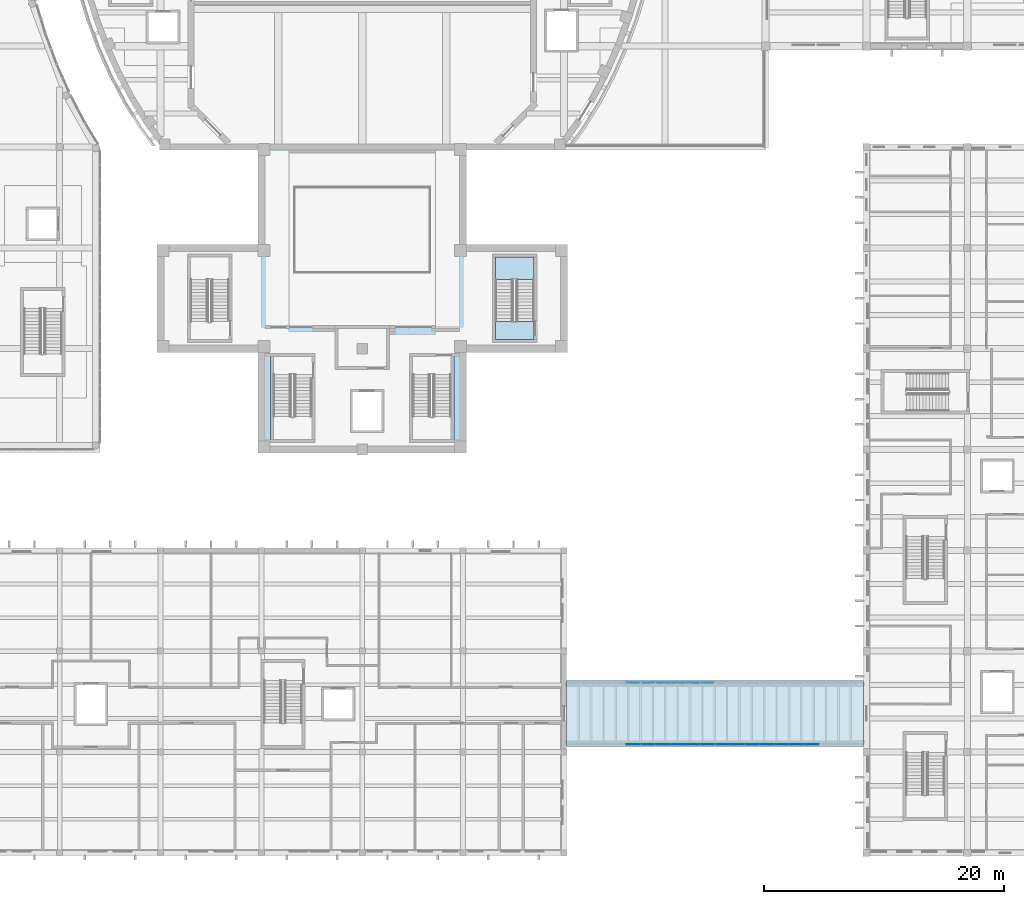
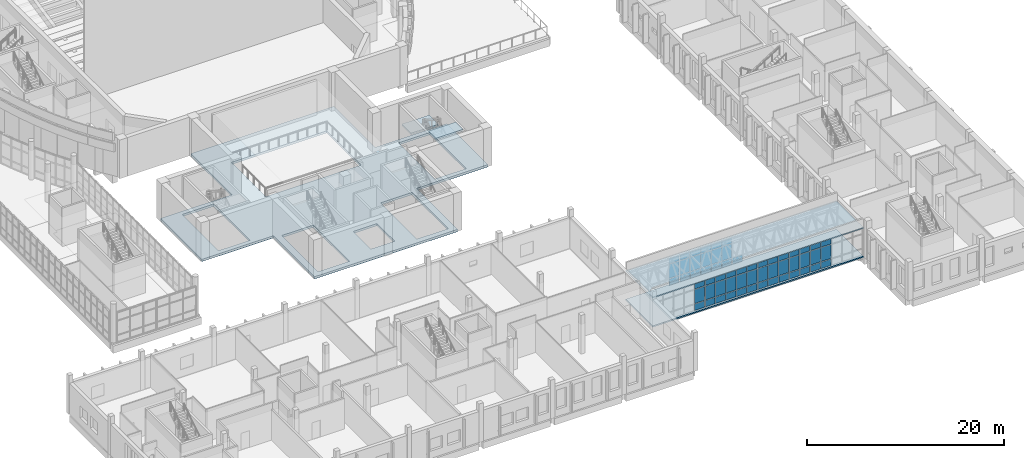
# One storey, part 44 of 119: 58 plates, 5 slabs, 8 elements without a shape of their own.
"""IFC4 building model written with IfcOpenShell, lengths in metres."""

from ifc_helpers import new_model, si_unit, direction, frame, origin, origin_2d, place, context, subcontext, project, spatial, polyline, rectangle, outline, extrude, material, layer, layer_set, type_object, element, aggregate, save


model = new_model("IFC4")

# Units and contexts
model_context = context("Model", 3, precision=1e-05, world=origin(), true_north=direction((0.0, 1.0)))
body_context = subcontext(model_context, "Body", "Model", "MODEL_VIEW")
ifc_project = project(units=[si_unit("LENGTHUNIT", "METRE"), si_unit("AREAUNIT", "SQUARE_METRE"), si_unit("VOLUMEUNIT", "CUBIC_METRE"), si_unit("PLANEANGLEUNIT", "RADIAN"), si_unit("MASSUNIT", "GRAM", prefix="KILO")], contexts=[model_context])

# Site, building, storey
site_placement = place(None, origin())
site = spatial("IfcSite", under=ifc_project, at=site_placement, CompositionType="ELEMENT")
building_placement = place(site_placement, origin())
building = spatial("IfcBuilding", under=site, at=building_placement, Name="Larchfold Concert Hall", CompositionType="ELEMENT")
storey_placement = place(building_placement, frame((0.0, 0.0, 4.800048828125)))
storey = spatial("IfcBuildingStorey", under=building, at=storey_placement, Name="L01", CompositionType="ELEMENT", Elevation=4.800048828125)

# Slabs
ifc_material_1 = material(Name="Concrete C35/45", Category="concrete")
ifc_layer_1 = layer(ifc_material_1, 0.159912109375)
ifc_layer_set_1 = layer_set([ifc_layer_1], Name="Concrete C35/45")
slab_type_1 = type_object("IfcSlabType", Name="Composite floor slab 130", PredefinedType="FLOOR", material=ifc_layer_set_1)
slab_1_placement = place(storey_placement, frame((0.0, 0.0, -0.16015625)))
element("IfcSlab", 1, at=slab_1_placement, inside=storey, type_object=slab_type_1, Name="Slab LBS1", PredefinedType="FLOOR", context=body_context, shape_type="SweptSolid", body=[
    extrude(outline(polyline([(84.344970703125, 9.449951171875), (84.344970703125, 14.949951171875), (59.599853515625, 14.949951171875), (59.599853515625, 9.449951171875), (84.344970703125, 9.449951171875)])), origin(), (0.0, 0.0, 1.0), 0.16015625),
])
ifc_material_2 = material(Name="Concrete C35/45", Category="concrete")
ifc_layer_2 = layer(ifc_material_2, 0.139892578125)
ifc_layer_set_2 = layer_set([ifc_layer_2], Name="Concrete C35/45")
slab_type_2 = type_object("IfcSlabType", Name="Flat roof slab 140", PredefinedType="ROOF", material=ifc_layer_set_2)
slab_2_placement = place(storey_placement, frame((0.0, 0.0, 3.43994140625)))
element("IfcSlab", 2, at=slab_2_placement, inside=storey, type_object=slab_type_2, Name="Slab LBS2", PredefinedType="ROOF", context=body_context, shape_type="SweptSolid", body=[
    extrude(outline(polyline([(84.344970703125, 9.449951171875), (84.344970703125, 14.949951171875), (59.599853515625, 14.949951171875), (59.599853515625, 9.449951171875), (84.344970703125, 9.449951171875)])), origin(), (0.0, 0.0, 1.0), 0.139892578125),
])

# Curtain wall, plates
ifc_material_3 = material(Name="Anodised graphite aluminium curtain wall", Category="aluminium")
ifc_layer_3 = layer(ifc_material_3, 0.14990234375)
ifc_layer_set_3 = layer_set([ifc_layer_3], Name="Anodised graphite aluminium curtain wall")
curtain_wall_type = type_object("IfcCurtainWallType", Name="Curtain wall WG", PredefinedType="NOTDEFINED", material=ifc_layer_set_3)
curtain_wall_1_placement = place(storey_placement, origin())
curtain_wall_1 = element("IfcCurtainWall", 3, at=curtain_wall_1_placement, inside=storey, type_object=curtain_wall_type, Name="Curtain wall CW0303", PredefinedType="NOTDEFINED")
ifc_material_4 = material(Name="Insulated glazing unit, glass", Category="glass")
ifc_layer_4 = layer(ifc_material_4, 0.028076171875)
ifc_layer_set_4 = layer_set([ifc_layer_4], Name="Insulated glazing unit, glass")
plate_type_1 = type_object("IfcPlateType", Name="Glass panel 28", PredefinedType="CURTAIN_PANEL", material=ifc_layer_set_4)
plate_1_placement = place(storey_placement, frame((65.17578125, 9.626708984375, 0.93994140625), z_axis=(0.0, 0.0, 1.0), x_axis=(1.0, 0.0, 0.0)))
plate_1 = element("IfcPlate", 4, at=plate_1_placement, type_object=plate_type_1, Name="CW0303 panel 5.2", PredefinedType="CURTAIN_PANEL", context=body_context, shape_type="SweptSolid", body=[
    extrude(rectangle(XDim=1.145751953125, YDim=0.028076171875, at=origin_2d()), origin(), (0.0, 0.0, 1.0), 1.719970703125),
])
plate_2_placement = place(storey_placement, frame((65.17578125, 9.626708984375, 2.740234375), z_axis=(0.0, 0.0, 1.0), x_axis=(1.0, 0.0, 0.0)))
plate_2 = element("IfcPlate", 5, at=plate_2_placement, type_object=plate_type_1, Name="CW0303 panel 5.3", PredefinedType="CURTAIN_PANEL", context=body_context, shape_type="SweptSolid", body=[
    extrude(rectangle(XDim=1.145751953125, YDim=0.028076171875, at=origin_2d()), origin(), (0.0, 0.0, 1.0), 0.619873046875),
])

curtain_wall_2_placement = place(storey_placement, origin())
curtain_wall_2 = element("IfcCurtainWall", 6, at=curtain_wall_2_placement, inside=storey, type_object=curtain_wall_type, Name="Curtain wall CW0304", PredefinedType="NOTDEFINED")
plate_3_placement = place(storey_placement, frame((66.44140625, 9.626708984375, 0.93994140625), z_axis=(0.0, 0.0, 1.0), x_axis=(1.0, 0.0, 0.0)))
plate_3 = element("IfcPlate", 7, at=plate_3_placement, type_object=plate_type_1, Name="CW0304 panel 1.2", PredefinedType="CURTAIN_PANEL", context=body_context, shape_type="SweptSolid", body=[
    extrude(rectangle(XDim=1.145751953125, YDim=0.028076171875, at=origin_2d()), origin(), (0.0, 0.0, 1.0), 1.719970703125),
])
plate_4_placement = place(storey_placement, frame((66.44140625, 9.626708984375, 2.740234375), z_axis=(0.0, 0.0, 1.0), x_axis=(1.0, 0.0, 0.0)))
plate_4 = element("IfcPlate", 8, at=plate_4_placement, type_object=plate_type_1, Name="CW0304 panel 1.3", PredefinedType="CURTAIN_PANEL", context=body_context, shape_type="SweptSolid", body=[
    extrude(rectangle(XDim=1.145751953125, YDim=0.028076171875, at=origin_2d()), origin(), (0.0, 0.0, 1.0), 0.619873046875),
])
plate_5_placement = place(storey_placement, frame((67.662109375, 9.626708984375, 0.93994140625), z_axis=(0.0, 0.0, 1.0), x_axis=(1.0, 0.0, 0.0)))
plate_5 = element("IfcPlate", 9, at=plate_5_placement, type_object=plate_type_1, Name="CW0304 panel 2.2", PredefinedType="CURTAIN_PANEL", context=body_context, shape_type="SweptSolid", body=[
    extrude(rectangle(XDim=1.17578125, YDim=0.028076171875, at=origin_2d()), origin(), (0.0, 0.0, 1.0), 1.719970703125),
])
plate_6_placement = place(storey_placement, frame((67.662109375, 9.626708984375, 2.740234375), z_axis=(0.0, 0.0, 1.0), x_axis=(1.0, 0.0, 0.0)))
plate_6 = element("IfcPlate", 10, at=plate_6_placement, type_object=plate_type_1, Name="CW0304 panel 2.3", PredefinedType="CURTAIN_PANEL", context=body_context, shape_type="SweptSolid", body=[
    extrude(rectangle(XDim=1.17578125, YDim=0.028076171875, at=origin_2d()), origin(), (0.0, 0.0, 1.0), 0.619873046875),
])
plate_7_placement = place(storey_placement, frame((68.89794921875, 9.626708984375, 0.93994140625), z_axis=(0.0, 0.0, 1.0), x_axis=(1.0, 0.0, 0.0)))
plate_7 = element("IfcPlate", 11, at=plate_7_placement, type_object=plate_type_1, Name="CW0304 panel 3.2", PredefinedType="CURTAIN_PANEL", context=body_context, shape_type="SweptSolid", body=[
    extrude(rectangle(XDim=1.17578125, YDim=0.028076171875, at=origin_2d()), origin(), (0.0, 0.0, 1.0), 1.719970703125),
])
plate_8_placement = place(storey_placement, frame((68.89794921875, 9.626708984375, 2.740234375), z_axis=(0.0, 0.0, 1.0), x_axis=(1.0, 0.0, 0.0)))
plate_8 = element("IfcPlate", 12, at=plate_8_placement, type_object=plate_type_1, Name="CW0304 panel 3.3", PredefinedType="CURTAIN_PANEL", context=body_context, shape_type="SweptSolid", body=[
    extrude(rectangle(XDim=1.17578125, YDim=0.028076171875, at=origin_2d()), origin(), (0.0, 0.0, 1.0), 0.619873046875),
])
plate_9_placement = place(storey_placement, frame((70.1337890625, 9.626708984375, 0.93994140625), z_axis=(0.0, 0.0, 1.0), x_axis=(1.0, 0.0, 0.0)))
plate_9 = element("IfcPlate", 13, at=plate_9_placement, type_object=plate_type_1, Name="CW0304 panel 4.2", PredefinedType="CURTAIN_PANEL", context=body_context, shape_type="SweptSolid", body=[
    extrude(rectangle(XDim=1.17578125, YDim=0.028076171875, at=origin_2d()), origin(), (0.0, 0.0, 1.0), 1.719970703125),
])
plate_10_placement = place(storey_placement, frame((70.1337890625, 9.626708984375, 2.740234375), z_axis=(0.0, 0.0, 1.0), x_axis=(1.0, 0.0, 0.0)))
plate_10 = element("IfcPlate", 14, at=plate_10_placement, type_object=plate_type_1, Name="CW0304 panel 4.3", PredefinedType="CURTAIN_PANEL", context=body_context, shape_type="SweptSolid", body=[
    extrude(rectangle(XDim=1.17578125, YDim=0.028076171875, at=origin_2d()), origin(), (0.0, 0.0, 1.0), 0.619873046875),
])
plate_11_placement = place(storey_placement, frame((71.3544921875, 9.626708984375, 0.93994140625), z_axis=(0.0, 0.0, 1.0), x_axis=(1.0, 0.0, 0.0)))
plate_11 = element("IfcPlate", 15, at=plate_11_placement, type_object=plate_type_1, Name="CW0304 panel 5.2", PredefinedType="CURTAIN_PANEL", context=body_context, shape_type="SweptSolid", body=[
    extrude(rectangle(XDim=1.145751953125, YDim=0.028076171875, at=origin_2d()), origin(), (0.0, 0.0, 1.0), 1.719970703125),
])
plate_12_placement = place(storey_placement, frame((71.3544921875, 9.626708984375, 2.740234375), z_axis=(0.0, 0.0, 1.0), x_axis=(1.0, 0.0, 0.0)))
plate_12 = element("IfcPlate", 16, at=plate_12_placement, type_object=plate_type_1, Name="CW0304 panel 5.3", PredefinedType="CURTAIN_PANEL", context=body_context, shape_type="SweptSolid", body=[
    extrude(rectangle(XDim=1.145751953125, YDim=0.028076171875, at=origin_2d()), origin(), (0.0, 0.0, 1.0), 0.619873046875),
])

curtain_wall_3_placement = place(storey_placement, origin())
curtain_wall_3 = element("IfcCurtainWall", 17, at=curtain_wall_3_placement, inside=storey, type_object=curtain_wall_type, Name="Curtain wall CW0305", PredefinedType="NOTDEFINED")
plate_13_placement = place(storey_placement, frame((72.6201171875, 9.626708984375, 0.93994140625), z_axis=(0.0, 0.0, 1.0), x_axis=(1.0, 0.0, 0.0)))
plate_13 = element("IfcPlate", 18, at=plate_13_placement, type_object=plate_type_1, Name="CW0305 panel 1.2", PredefinedType="CURTAIN_PANEL", context=body_context, shape_type="SweptSolid", body=[
    extrude(rectangle(XDim=1.145751953125, YDim=0.028076171875, at=origin_2d()), origin(), (0.0, 0.0, 1.0), 1.719970703125),
])
plate_14_placement = place(storey_placement, frame((72.6201171875, 9.626708984375, 2.740234375), z_axis=(0.0, 0.0, 1.0), x_axis=(1.0, 0.0, 0.0)))
plate_14 = element("IfcPlate", 19, at=plate_14_placement, type_object=plate_type_1, Name="CW0305 panel 1.3", PredefinedType="CURTAIN_PANEL", context=body_context, shape_type="SweptSolid", body=[
    extrude(rectangle(XDim=1.145751953125, YDim=0.028076171875, at=origin_2d()), origin(), (0.0, 0.0, 1.0), 0.619873046875),
])
plate_15_placement = place(storey_placement, frame((73.841064453125, 9.626708984375, 0.93994140625), z_axis=(0.0, 0.0, 1.0), x_axis=(1.0, 0.0, 0.0)))
plate_15 = element("IfcPlate", 20, at=plate_15_placement, type_object=plate_type_1, Name="CW0305 panel 2.2", PredefinedType="CURTAIN_PANEL", context=body_context, shape_type="SweptSolid", body=[
    extrude(rectangle(XDim=1.17578125, YDim=0.028076171875, at=origin_2d()), origin(), (0.0, 0.0, 1.0), 1.719970703125),
])
plate_16_placement = place(storey_placement, frame((73.841064453125, 9.626708984375, 2.740234375), z_axis=(0.0, 0.0, 1.0), x_axis=(1.0, 0.0, 0.0)))
plate_16 = element("IfcPlate", 21, at=plate_16_placement, type_object=plate_type_1, Name="CW0305 panel 2.3", PredefinedType="CURTAIN_PANEL", context=body_context, shape_type="SweptSolid", body=[
    extrude(rectangle(XDim=1.17578125, YDim=0.028076171875, at=origin_2d()), origin(), (0.0, 0.0, 1.0), 0.619873046875),
])
plate_17_placement = place(storey_placement, frame((75.076904296875, 9.626708984375, 0.93994140625), z_axis=(0.0, 0.0, 1.0), x_axis=(1.0, 0.0, 0.0)))
plate_17 = element("IfcPlate", 22, at=plate_17_placement, type_object=plate_type_1, Name="CW0305 panel 3.2", PredefinedType="CURTAIN_PANEL", context=body_context, shape_type="SweptSolid", body=[
    extrude(rectangle(XDim=1.17578125, YDim=0.028076171875, at=origin_2d()), origin(), (0.0, 0.0, 1.0), 1.719970703125),
])
plate_18_placement = place(storey_placement, frame((75.076904296875, 9.626708984375, 2.740234375), z_axis=(0.0, 0.0, 1.0), x_axis=(1.0, 0.0, 0.0)))
plate_18 = element("IfcPlate", 23, at=plate_18_placement, type_object=plate_type_1, Name="CW0305 panel 3.3", PredefinedType="CURTAIN_PANEL", context=body_context, shape_type="SweptSolid", body=[
    extrude(rectangle(XDim=1.17578125, YDim=0.028076171875, at=origin_2d()), origin(), (0.0, 0.0, 1.0), 0.619873046875),
])
plate_19_placement = place(storey_placement, frame((76.3125, 9.626708984375, 0.93994140625), z_axis=(0.0, 0.0, 1.0), x_axis=(1.0, 0.0, 0.0)))
plate_19 = element("IfcPlate", 24, at=plate_19_placement, type_object=plate_type_1, Name="CW0305 panel 4.2", PredefinedType="CURTAIN_PANEL", context=body_context, shape_type="SweptSolid", body=[
    extrude(rectangle(XDim=1.17578125, YDim=0.028076171875, at=origin_2d()), origin(), (0.0, 0.0, 1.0), 1.719970703125),
])
plate_20_placement = place(storey_placement, frame((76.3125, 9.626708984375, 2.740234375), z_axis=(0.0, 0.0, 1.0), x_axis=(1.0, 0.0, 0.0)))
plate_20 = element("IfcPlate", 25, at=plate_20_placement, type_object=plate_type_1, Name="CW0305 panel 4.3", PredefinedType="CURTAIN_PANEL", context=body_context, shape_type="SweptSolid", body=[
    extrude(rectangle(XDim=1.17578125, YDim=0.028076171875, at=origin_2d()), origin(), (0.0, 0.0, 1.0), 0.619873046875),
])
plate_21_placement = place(storey_placement, frame((77.533447265625, 9.626708984375, 0.93994140625), z_axis=(0.0, 0.0, 1.0), x_axis=(1.0, 0.0, 0.0)))
plate_21 = element("IfcPlate", 26, at=plate_21_placement, type_object=plate_type_1, Name="CW0305 panel 5.2", PredefinedType="CURTAIN_PANEL", context=body_context, shape_type="SweptSolid", body=[
    extrude(rectangle(XDim=1.145751953125, YDim=0.028076171875, at=origin_2d()), origin(), (0.0, 0.0, 1.0), 1.719970703125),
])
plate_22_placement = place(storey_placement, frame((77.533447265625, 9.626708984375, 2.740234375), z_axis=(0.0, 0.0, 1.0), x_axis=(1.0, 0.0, 0.0)))
plate_22 = element("IfcPlate", 27, at=plate_22_placement, type_object=plate_type_1, Name="CW0305 panel 5.3", PredefinedType="CURTAIN_PANEL", context=body_context, shape_type="SweptSolid", body=[
    extrude(rectangle(XDim=1.145751953125, YDim=0.028076171875, at=origin_2d()), origin(), (0.0, 0.0, 1.0), 0.619873046875),
])

curtain_wall_4_placement = place(storey_placement, origin())
curtain_wall_4 = element("IfcCurtainWall", 28, at=curtain_wall_4_placement, inside=storey, type_object=curtain_wall_type, Name="Curtain wall CW0306", PredefinedType="NOTDEFINED")
plate_23_placement = place(storey_placement, frame((78.799072265625, 9.626708984375, 0.93994140625), z_axis=(0.0, 0.0, 1.0), x_axis=(1.0, 0.0, 0.0)))
plate_23 = element("IfcPlate", 29, at=plate_23_placement, type_object=plate_type_1, Name="CW0306 panel 1.2", PredefinedType="CURTAIN_PANEL", context=body_context, shape_type="SweptSolid", body=[
    extrude(rectangle(XDim=1.145751953125, YDim=0.028076171875, at=origin_2d()), origin(), (0.0, 0.0, 1.0), 1.719970703125),
])
plate_24_placement = place(storey_placement, frame((78.799072265625, 9.626708984375, 2.740234375), z_axis=(0.0, 0.0, 1.0), x_axis=(1.0, 0.0, 0.0)))
plate_24 = element("IfcPlate", 30, at=plate_24_placement, type_object=plate_type_1, Name="CW0306 panel 1.3", PredefinedType="CURTAIN_PANEL", context=body_context, shape_type="SweptSolid", body=[
    extrude(rectangle(XDim=1.145751953125, YDim=0.028076171875, at=origin_2d()), origin(), (0.0, 0.0, 1.0), 0.619873046875),
])
plate_25_placement = place(storey_placement, frame((80.019775390625, 9.626708984375, 0.93994140625), z_axis=(0.0, 0.0, 1.0), x_axis=(1.0, 0.0, 0.0)))
plate_25 = element("IfcPlate", 31, at=plate_25_placement, type_object=plate_type_1, Name="CW0306 panel 2.2", PredefinedType="CURTAIN_PANEL", context=body_context, shape_type="SweptSolid", body=[
    extrude(rectangle(XDim=1.17578125, YDim=0.028076171875, at=origin_2d()), origin(), (0.0, 0.0, 1.0), 1.719970703125),
])
plate_26_placement = place(storey_placement, frame((80.019775390625, 9.626708984375, 2.740234375), z_axis=(0.0, 0.0, 1.0), x_axis=(1.0, 0.0, 0.0)))
plate_26 = element("IfcPlate", 32, at=plate_26_placement, type_object=plate_type_1, Name="CW0306 panel 2.3", PredefinedType="CURTAIN_PANEL", context=body_context, shape_type="SweptSolid", body=[
    extrude(rectangle(XDim=1.17578125, YDim=0.028076171875, at=origin_2d()), origin(), (0.0, 0.0, 1.0), 0.619873046875),
])

curtain_wall_5_placement = place(storey_placement, origin())
curtain_wall_5 = element("IfcCurtainWall", 33, at=curtain_wall_5_placement, inside=storey, type_object=curtain_wall_type, Name="Curtain wall CW0307", PredefinedType="NOTDEFINED")
plate_27_placement = place(storey_placement, frame((65.17578125, 14.7734375, 0.93994140625), z_axis=(0.0, 0.0, 1.0), x_axis=(1.0, 0.0, 0.0)))
plate_27 = element("IfcPlate", 34, at=plate_27_placement, type_object=plate_type_1, Name="CW0307 panel 5.2", PredefinedType="CURTAIN_PANEL", context=body_context, shape_type="SweptSolid", body=[
    extrude(rectangle(XDim=1.145751953125, YDim=0.028076171875, at=origin_2d()), origin(), (0.0, 0.0, 1.0), 1.719970703125),
])
plate_28_placement = place(storey_placement, frame((65.17578125, 14.7734375, 2.740234375), z_axis=(0.0, 0.0, 1.0), x_axis=(1.0, 0.0, 0.0)))
plate_28 = element("IfcPlate", 35, at=plate_28_placement, type_object=plate_type_1, Name="CW0307 panel 5.3", PredefinedType="CURTAIN_PANEL", context=body_context, shape_type="SweptSolid", body=[
    extrude(rectangle(XDim=1.145751953125, YDim=0.028076171875, at=origin_2d()), origin(), (0.0, 0.0, 1.0), 0.619873046875),
])

curtain_wall_6_placement = place(storey_placement, origin())
curtain_wall_6 = element("IfcCurtainWall", 36, at=curtain_wall_6_placement, inside=storey, type_object=curtain_wall_type, Name="Curtain wall CW0308", PredefinedType="NOTDEFINED")
plate_29_placement = place(storey_placement, frame((66.44140625, 14.7734375, 0.93994140625), z_axis=(0.0, 0.0, 1.0), x_axis=(1.0, 0.0, 0.0)))
plate_29 = element("IfcPlate", 37, at=plate_29_placement, type_object=plate_type_1, Name="CW0308 panel 1.2", PredefinedType="CURTAIN_PANEL", context=body_context, shape_type="SweptSolid", body=[
    extrude(rectangle(XDim=1.145751953125, YDim=0.028076171875, at=origin_2d()), origin(), (0.0, 0.0, 1.0), 1.719970703125),
])
plate_30_placement = place(storey_placement, frame((66.44140625, 14.7734375, 2.740234375), z_axis=(0.0, 0.0, 1.0), x_axis=(1.0, 0.0, 0.0)))
plate_30 = element("IfcPlate", 38, at=plate_30_placement, type_object=plate_type_1, Name="CW0308 panel 1.3", PredefinedType="CURTAIN_PANEL", context=body_context, shape_type="SweptSolid", body=[
    extrude(rectangle(XDim=1.145751953125, YDim=0.028076171875, at=origin_2d()), origin(), (0.0, 0.0, 1.0), 0.619873046875),
])
plate_31_placement = place(storey_placement, frame((67.662109375, 14.7734375, 0.93994140625), z_axis=(0.0, 0.0, 1.0), x_axis=(1.0, 0.0, 0.0)))
plate_31 = element("IfcPlate", 39, at=plate_31_placement, type_object=plate_type_1, Name="CW0308 panel 2.2", PredefinedType="CURTAIN_PANEL", context=body_context, shape_type="SweptSolid", body=[
    extrude(rectangle(XDim=1.17578125, YDim=0.028076171875, at=origin_2d()), origin(), (0.0, 0.0, 1.0), 1.719970703125),
])
plate_32_placement = place(storey_placement, frame((67.662109375, 14.7734375, 2.740234375), z_axis=(0.0, 0.0, 1.0), x_axis=(1.0, 0.0, 0.0)))
plate_32 = element("IfcPlate", 40, at=plate_32_placement, type_object=plate_type_1, Name="CW0308 panel 2.3", PredefinedType="CURTAIN_PANEL", context=body_context, shape_type="SweptSolid", body=[
    extrude(rectangle(XDim=1.17578125, YDim=0.028076171875, at=origin_2d()), origin(), (0.0, 0.0, 1.0), 0.619873046875),
])
plate_33_placement = place(storey_placement, frame((68.89794921875, 14.7734375, 0.93994140625), z_axis=(0.0, 0.0, 1.0), x_axis=(1.0, 0.0, 0.0)))
plate_33 = element("IfcPlate", 41, at=plate_33_placement, type_object=plate_type_1, Name="CW0308 panel 3.2", PredefinedType="CURTAIN_PANEL", context=body_context, shape_type="SweptSolid", body=[
    extrude(rectangle(XDim=1.17578125, YDim=0.028076171875, at=origin_2d()), origin(), (0.0, 0.0, 1.0), 1.719970703125),
])
plate_34_placement = place(storey_placement, frame((68.89794921875, 14.7734375, 2.740234375), z_axis=(0.0, 0.0, 1.0), x_axis=(1.0, 0.0, 0.0)))
plate_34 = element("IfcPlate", 42, at=plate_34_placement, type_object=plate_type_1, Name="CW0308 panel 3.3", PredefinedType="CURTAIN_PANEL", context=body_context, shape_type="SweptSolid", body=[
    extrude(rectangle(XDim=1.17578125, YDim=0.028076171875, at=origin_2d()), origin(), (0.0, 0.0, 1.0), 0.619873046875),
])
plate_35_placement = place(storey_placement, frame((70.1337890625, 14.7734375, 0.93994140625), z_axis=(0.0, 0.0, 1.0), x_axis=(1.0, 0.0, 0.0)))
plate_35 = element("IfcPlate", 43, at=plate_35_placement, type_object=plate_type_1, Name="CW0308 panel 4.2", PredefinedType="CURTAIN_PANEL", context=body_context, shape_type="SweptSolid", body=[
    extrude(rectangle(XDim=1.17578125, YDim=0.028076171875, at=origin_2d()), origin(), (0.0, 0.0, 1.0), 1.719970703125),
])
plate_36_placement = place(storey_placement, frame((70.1337890625, 14.7734375, 2.740234375), z_axis=(0.0, 0.0, 1.0), x_axis=(1.0, 0.0, 0.0)))
plate_36 = element("IfcPlate", 44, at=plate_36_placement, type_object=plate_type_1, Name="CW0308 panel 4.3", PredefinedType="CURTAIN_PANEL", context=body_context, shape_type="SweptSolid", body=[
    extrude(rectangle(XDim=1.17578125, YDim=0.028076171875, at=origin_2d()), origin(), (0.0, 0.0, 1.0), 0.619873046875),
])
plate_37_placement = place(storey_placement, frame((71.3544921875, 14.7734375, 0.93994140625), z_axis=(0.0, 0.0, 1.0), x_axis=(1.0, 0.0, 0.0)))
plate_37 = element("IfcPlate", 45, at=plate_37_placement, type_object=plate_type_1, Name="CW0308 panel 5.2", PredefinedType="CURTAIN_PANEL", context=body_context, shape_type="SweptSolid", body=[
    extrude(rectangle(XDim=1.145751953125, YDim=0.028076171875, at=origin_2d()), origin(), (0.0, 0.0, 1.0), 1.719970703125),
])
plate_38_placement = place(storey_placement, frame((71.3544921875, 14.7734375, 2.740234375), z_axis=(0.0, 0.0, 1.0), x_axis=(1.0, 0.0, 0.0)))
plate_38 = element("IfcPlate", 46, at=plate_38_placement, type_object=plate_type_1, Name="CW0308 panel 5.3", PredefinedType="CURTAIN_PANEL", context=body_context, shape_type="SweptSolid", body=[
    extrude(rectangle(XDim=1.145751953125, YDim=0.028076171875, at=origin_2d()), origin(), (0.0, 0.0, 1.0), 0.619873046875),
])

# Plate
ifc_material_5 = material(Name="White insulated panel")
ifc_layer_5 = layer(ifc_material_5, 0.06005859375)
ifc_layer_set_5 = layer_set([ifc_layer_5], Name="White insulated panel")
plate_type_2 = type_object("IfcPlateType", Name="Insulated spandrel panel 60", PredefinedType="CURTAIN_PANEL", material=ifc_layer_set_5)
plate_39_placement = place(storey_placement, frame((65.17578125, 9.626708984375, 0.080078125), z_axis=(0.0, 0.0, 1.0), x_axis=(1.0, 0.0, 0.0)))
plate_39 = element("IfcPlate", 47, at=plate_39_placement, type_object=plate_type_2, Name="CW0303 panel 5.1", PredefinedType="CURTAIN_PANEL", context=body_context, shape_type="SweptSolid", body=[
    extrude(rectangle(XDim=1.145751953125, YDim=0.06005859375, at=origin_2d()), origin(), (0.0, 0.0, 1.0), 0.77978515625),
])

aggregate(curtain_wall_1, [plate_39, plate_1, plate_2])

plate_40_placement = place(storey_placement, frame((66.44140625, 9.626708984375, 0.080078125), z_axis=(0.0, 0.0, 1.0), x_axis=(1.0, 0.0, 0.0)))
plate_40 = element("IfcPlate", 48, at=plate_40_placement, type_object=plate_type_2, Name="CW0304 panel 1.1", PredefinedType="CURTAIN_PANEL", context=body_context, shape_type="SweptSolid", body=[
    extrude(rectangle(XDim=1.145751953125, YDim=0.06005859375, at=origin_2d()), origin(), (0.0, 0.0, 1.0), 0.77978515625),
])

plate_41_placement = place(storey_placement, frame((67.662109375, 9.626708984375, 0.080078125), z_axis=(0.0, 0.0, 1.0), x_axis=(1.0, 0.0, 0.0)))
plate_41 = element("IfcPlate", 49, at=plate_41_placement, type_object=plate_type_2, Name="CW0304 panel 2.1", PredefinedType="CURTAIN_PANEL", context=body_context, shape_type="SweptSolid", body=[
    extrude(rectangle(XDim=1.17578125, YDim=0.06005859375, at=origin_2d()), origin(), (0.0, 0.0, 1.0), 0.77978515625),
])

plate_42_placement = place(storey_placement, frame((68.89794921875, 9.626708984375, 0.080078125), z_axis=(0.0, 0.0, 1.0), x_axis=(1.0, 0.0, 0.0)))
plate_42 = element("IfcPlate", 50, at=plate_42_placement, type_object=plate_type_2, Name="CW0304 panel 3.1", PredefinedType="CURTAIN_PANEL", context=body_context, shape_type="SweptSolid", body=[
    extrude(rectangle(XDim=1.17578125, YDim=0.06005859375, at=origin_2d()), origin(), (0.0, 0.0, 1.0), 0.77978515625),
])

plate_43_placement = place(storey_placement, frame((70.1337890625, 9.626708984375, 0.080078125), z_axis=(0.0, 0.0, 1.0), x_axis=(1.0, 0.0, 0.0)))
plate_43 = element("IfcPlate", 51, at=plate_43_placement, type_object=plate_type_2, Name="CW0304 panel 4.1", PredefinedType="CURTAIN_PANEL", context=body_context, shape_type="SweptSolid", body=[
    extrude(rectangle(XDim=1.17578125, YDim=0.06005859375, at=origin_2d()), origin(), (0.0, 0.0, 1.0), 0.77978515625),
])

plate_44_placement = place(storey_placement, frame((71.3544921875, 9.626708984375, 0.080078125), z_axis=(0.0, 0.0, 1.0), x_axis=(1.0, 0.0, 0.0)))
plate_44 = element("IfcPlate", 52, at=plate_44_placement, type_object=plate_type_2, Name="CW0304 panel 5.1", PredefinedType="CURTAIN_PANEL", context=body_context, shape_type="SweptSolid", body=[
    extrude(rectangle(XDim=1.145751953125, YDim=0.06005859375, at=origin_2d()), origin(), (0.0, 0.0, 1.0), 0.77978515625),
])

aggregate(curtain_wall_2, [plate_40, plate_3, plate_4, plate_41, plate_5, plate_6, plate_42, plate_7, plate_8, plate_43, plate_9, plate_10, plate_44, plate_11, plate_12])

plate_45_placement = place(storey_placement, frame((72.6201171875, 9.626708984375, 0.080078125), z_axis=(0.0, 0.0, 1.0), x_axis=(1.0, 0.0, 0.0)))
plate_45 = element("IfcPlate", 53, at=plate_45_placement, type_object=plate_type_2, Name="CW0305 panel 1.1", PredefinedType="CURTAIN_PANEL", context=body_context, shape_type="SweptSolid", body=[
    extrude(rectangle(XDim=1.145751953125, YDim=0.06005859375, at=origin_2d()), origin(), (0.0, 0.0, 1.0), 0.77978515625),
])

plate_46_placement = place(storey_placement, frame((73.841064453125, 9.626708984375, 0.080078125), z_axis=(0.0, 0.0, 1.0), x_axis=(1.0, 0.0, 0.0)))
plate_46 = element("IfcPlate", 54, at=plate_46_placement, type_object=plate_type_2, Name="CW0305 panel 2.1", PredefinedType="CURTAIN_PANEL", context=body_context, shape_type="SweptSolid", body=[
    extrude(rectangle(XDim=1.17578125, YDim=0.06005859375, at=origin_2d()), origin(), (0.0, 0.0, 1.0), 0.77978515625),
])

plate_47_placement = place(storey_placement, frame((75.076904296875, 9.626708984375, 0.080078125), z_axis=(0.0, 0.0, 1.0), x_axis=(1.0, 0.0, 0.0)))
plate_47 = element("IfcPlate", 55, at=plate_47_placement, type_object=plate_type_2, Name="CW0305 panel 3.1", PredefinedType="CURTAIN_PANEL", context=body_context, shape_type="SweptSolid", body=[
    extrude(rectangle(XDim=1.17578125, YDim=0.06005859375, at=origin_2d()), origin(), (0.0, 0.0, 1.0), 0.77978515625),
])

plate_48_placement = place(storey_placement, frame((76.3125, 9.626708984375, 0.080078125), z_axis=(0.0, 0.0, 1.0), x_axis=(1.0, 0.0, 0.0)))
plate_48 = element("IfcPlate", 56, at=plate_48_placement, type_object=plate_type_2, Name="CW0305 panel 4.1", PredefinedType="CURTAIN_PANEL", context=body_context, shape_type="SweptSolid", body=[
    extrude(rectangle(XDim=1.17578125, YDim=0.06005859375, at=origin_2d()), origin(), (0.0, 0.0, 1.0), 0.77978515625),
])

plate_49_placement = place(storey_placement, frame((77.533447265625, 9.626708984375, 0.080078125), z_axis=(0.0, 0.0, 1.0), x_axis=(1.0, 0.0, 0.0)))
plate_49 = element("IfcPlate", 57, at=plate_49_placement, type_object=plate_type_2, Name="CW0305 panel 5.1", PredefinedType="CURTAIN_PANEL", context=body_context, shape_type="SweptSolid", body=[
    extrude(rectangle(XDim=1.145751953125, YDim=0.06005859375, at=origin_2d()), origin(), (0.0, 0.0, 1.0), 0.77978515625),
])

aggregate(curtain_wall_3, [plate_45, plate_13, plate_14, plate_46, plate_15, plate_16, plate_47, plate_17, plate_18, plate_48, plate_19, plate_20, plate_49, plate_21, plate_22])

plate_50_placement = place(storey_placement, frame((78.799072265625, 9.626708984375, 0.080078125), z_axis=(0.0, 0.0, 1.0), x_axis=(1.0, 0.0, 0.0)))
plate_50 = element("IfcPlate", 58, at=plate_50_placement, type_object=plate_type_2, Name="CW0306 panel 1.1", PredefinedType="CURTAIN_PANEL", context=body_context, shape_type="SweptSolid", body=[
    extrude(rectangle(XDim=1.145751953125, YDim=0.06005859375, at=origin_2d()), origin(), (0.0, 0.0, 1.0), 0.77978515625),
])

plate_51_placement = place(storey_placement, frame((80.019775390625, 9.626708984375, 0.080078125), z_axis=(0.0, 0.0, 1.0), x_axis=(1.0, 0.0, 0.0)))
plate_51 = element("IfcPlate", 59, at=plate_51_placement, type_object=plate_type_2, Name="CW0306 panel 2.1", PredefinedType="CURTAIN_PANEL", context=body_context, shape_type="SweptSolid", body=[
    extrude(rectangle(XDim=1.17578125, YDim=0.06005859375, at=origin_2d()), origin(), (0.0, 0.0, 1.0), 0.77978515625),
])

aggregate(curtain_wall_4, [plate_50, plate_23, plate_24, plate_51, plate_25, plate_26])

plate_52_placement = place(storey_placement, frame((65.17578125, 14.7734375, 0.080078125), z_axis=(0.0, 0.0, 1.0), x_axis=(1.0, 0.0, 0.0)))
plate_52 = element("IfcPlate", 60, at=plate_52_placement, type_object=plate_type_2, Name="CW0307 panel 5.1", PredefinedType="CURTAIN_PANEL", context=body_context, shape_type="SweptSolid", body=[
    extrude(rectangle(XDim=1.145751953125, YDim=0.06005859375, at=origin_2d()), origin(), (0.0, 0.0, 1.0), 0.77978515625),
])

aggregate(curtain_wall_5, [plate_52, plate_27, plate_28])

plate_53_placement = place(storey_placement, frame((66.44140625, 14.7734375, 0.080078125), z_axis=(0.0, 0.0, 1.0), x_axis=(1.0, 0.0, 0.0)))
plate_53 = element("IfcPlate", 61, at=plate_53_placement, type_object=plate_type_2, Name="CW0308 panel 1.1", PredefinedType="CURTAIN_PANEL", context=body_context, shape_type="SweptSolid", body=[
    extrude(rectangle(XDim=1.145751953125, YDim=0.06005859375, at=origin_2d()), origin(), (0.0, 0.0, 1.0), 0.77978515625),
])

plate_54_placement = place(storey_placement, frame((67.662109375, 14.7734375, 0.080078125), z_axis=(0.0, 0.0, 1.0), x_axis=(1.0, 0.0, 0.0)))
plate_54 = element("IfcPlate", 62, at=plate_54_placement, type_object=plate_type_2, Name="CW0308 panel 2.1", PredefinedType="CURTAIN_PANEL", context=body_context, shape_type="SweptSolid", body=[
    extrude(rectangle(XDim=1.17578125, YDim=0.06005859375, at=origin_2d()), origin(), (0.0, 0.0, 1.0), 0.77978515625),
])

plate_55_placement = place(storey_placement, frame((68.89794921875, 14.7734375, 0.080078125), z_axis=(0.0, 0.0, 1.0), x_axis=(1.0, 0.0, 0.0)))
plate_55 = element("IfcPlate", 63, at=plate_55_placement, type_object=plate_type_2, Name="CW0308 panel 3.1", PredefinedType="CURTAIN_PANEL", context=body_context, shape_type="SweptSolid", body=[
    extrude(rectangle(XDim=1.17578125, YDim=0.06005859375, at=origin_2d()), origin(), (0.0, 0.0, 1.0), 0.77978515625),
])

plate_56_placement = place(storey_placement, frame((70.1337890625, 14.7734375, 0.080078125), z_axis=(0.0, 0.0, 1.0), x_axis=(1.0, 0.0, 0.0)))
plate_56 = element("IfcPlate", 64, at=plate_56_placement, type_object=plate_type_2, Name="CW0308 panel 4.1", PredefinedType="CURTAIN_PANEL", context=body_context, shape_type="SweptSolid", body=[
    extrude(rectangle(XDim=1.17578125, YDim=0.06005859375, at=origin_2d()), origin(), (0.0, 0.0, 1.0), 0.77978515625),
])

plate_57_placement = place(storey_placement, frame((71.3544921875, 14.7734375, 0.080078125), z_axis=(0.0, 0.0, 1.0), x_axis=(1.0, 0.0, 0.0)))
plate_57 = element("IfcPlate", 65, at=plate_57_placement, type_object=plate_type_2, Name="CW0308 panel 5.1", PredefinedType="CURTAIN_PANEL", context=body_context, shape_type="SweptSolid", body=[
    extrude(rectangle(XDim=1.145751953125, YDim=0.06005859375, at=origin_2d()), origin(), (0.0, 0.0, 1.0), 0.77978515625),
])

aggregate(curtain_wall_6, [plate_53, plate_29, plate_30, plate_54, plate_31, plate_32, plate_55, plate_33, plate_34, plate_56, plate_35, plate_36, plate_57, plate_37, plate_38])

# Curtain wall, plate
curtain_wall_7_placement = place(storey_placement, origin())
curtain_wall_7 = element("IfcCurtainWall", 66, at=curtain_wall_7_placement, inside=storey, type_object=curtain_wall_type, Name="Curtain wall CW0309", PredefinedType="NOTDEFINED")
plate_58_placement = place(storey_placement, frame((72.6201171875, 14.7734375, 0.080078125), z_axis=(0.0, 0.0, 1.0), x_axis=(1.0, 0.0, 0.0)))
plate_58 = element("IfcPlate", 67, at=plate_58_placement, type_object=plate_type_2, Name="CW0309 panel 1.1", PredefinedType="CURTAIN_PANEL", context=body_context, shape_type="SweptSolid", body=[
    extrude(rectangle(XDim=1.145751953125, YDim=0.06005859375, at=origin_2d()), origin(), (0.0, 0.0, 1.0), 0.77978515625),
])
aggregate(curtain_wall_7, [plate_58])

# Slab
ifc_material_6 = material(Name="Concrete C35/45", Category="concrete")
ifc_layer_6 = layer(ifc_material_6, 0.280029296875)
ifc_layer_set_6 = layer_set([ifc_layer_6], Name="Concrete C35/45")
slab_type_3 = type_object("IfcSlabType", Name="Slab 280 flat plate", PredefinedType="FLOOR", material=ifc_layer_set_6)
slab_3_placement = place(storey_placement, frame((0.0, 0.0, -0.2802734375)))
element("IfcSlab", 68, at=slab_3_placement, inside=storey, type_object=slab_type_3, Name="Slab S0006", PredefinedType="FLOOR", context=body_context, shape_type="SweptSolid", body=[
    extrude(outline(polyline([(51.0, 34.199951171875), (51.0, 42.60009765625), (59.39990234375, 42.60009765625), (59.39990234375, 51.0), (51.0, 51.0), (51.0, 59.39990234375), (34.199951171875, 59.39990234375), (34.199951171875, 51.0), (25.800048828125, 51.0), (25.800048828125, 42.60009765625), (34.199951171875, 42.60009765625), (34.199951171875, 34.199951171875), (51.0, 34.199951171875)]), holes=[polyline([(41.60009765625, 35.60009765625), (41.60009765625, 39.199951171875), (44.39990234375, 39.199951171875), (44.39990234375, 35.60009765625), (41.60009765625, 35.60009765625)]), polyline([(34.949951171875, 42.199951171875), (38.64990234375, 42.199951171875), (38.64990234375, 34.800048828125), (34.949951171875, 34.800048828125), (34.949951171875, 42.199951171875)]), polyline([(46.550048828125, 42.199951171875), (50.25, 42.199951171875), (50.25, 34.800048828125), (46.550048828125, 34.800048828125), (46.550048828125, 42.199951171875)]), polyline([(28.050048828125, 43.10009765625), (28.050048828125, 50.5), (31.75, 50.5), (31.75, 43.10009765625), (28.050048828125, 43.10009765625)]), polyline([(53.449951171875, 50.5), (57.14990234375, 50.5), (57.14990234375, 43.10009765625), (53.449951171875, 43.10009765625), (53.449951171875, 50.5)]), polyline([(37.0, 56.0), (48.199951171875, 56.0), (48.199951171875, 49.0), (37.0, 49.0), (37.0, 56.0)])]), origin(), (0.0, 0.0, 1.0), 0.2802734375),
])

# Stair, slabs
ifc_material_7 = material(Name="Concrete C35/45", Category="concrete")
stair_type = type_object("IfcStairType", Name="Stair RC half-turn enclosed", PredefinedType="HALF_TURN_STAIR", material=ifc_material_7)
stair_placement = place(storey_placement, origin())
stair = element("IfcStair", 69, at=stair_placement, inside=storey, type_object=stair_type, Name="Stair SH2", PredefinedType="HALF_TURN_STAIR")
ifc_material_8 = material(Name="Concrete C35/45", Category="concrete")
ifc_layer_7 = layer(ifc_material_8, 0.199951171875)
ifc_layer_set_7 = layer_set([ifc_layer_7], Name="Concrete C35/45")
slab_type_4 = type_object("IfcSlabType", Name="Stair landing RC 200", PredefinedType="LANDING", material=ifc_layer_set_7)
slab_4_placement = place(storey_placement, frame((0.0, 0.0, 2.199951171875)))
slab_4 = element("IfcSlab", 70, at=slab_4_placement, type_object=slab_type_4, Name="ST10 landing 1", PredefinedType="LANDING", context=body_context, shape_type="SweptSolid", body=[
    extrude(outline(polyline([(56.89990234375, 48.360107421875), (56.89990234375, 50.25), (53.699951171875, 50.25), (53.699951171875, 48.360107421875), (56.89990234375, 48.360107421875)])), origin(), (0.0, 0.0, 1.0), 0.199951171875),
])
slab_5_placement = place(storey_placement, frame((0.0, 0.0, 4.599853515625)))
slab_5 = element("IfcSlab", 71, at=slab_5_placement, type_object=slab_type_4, Name="ST10 landing 2", PredefinedType="LANDING", context=body_context, shape_type="SweptSolid", body=[
    extrude(outline(polyline([(56.89990234375, 43.35009765625), (56.89990234375, 44.85009765625), (53.699951171875, 44.85009765625), (53.699951171875, 43.35009765625), (56.89990234375, 43.35009765625)])), origin(), (0.0, 0.0, 1.0), 0.2001953125),
])
aggregate(stair, [slab_4, slab_5])

save(model, "model.ifc")
